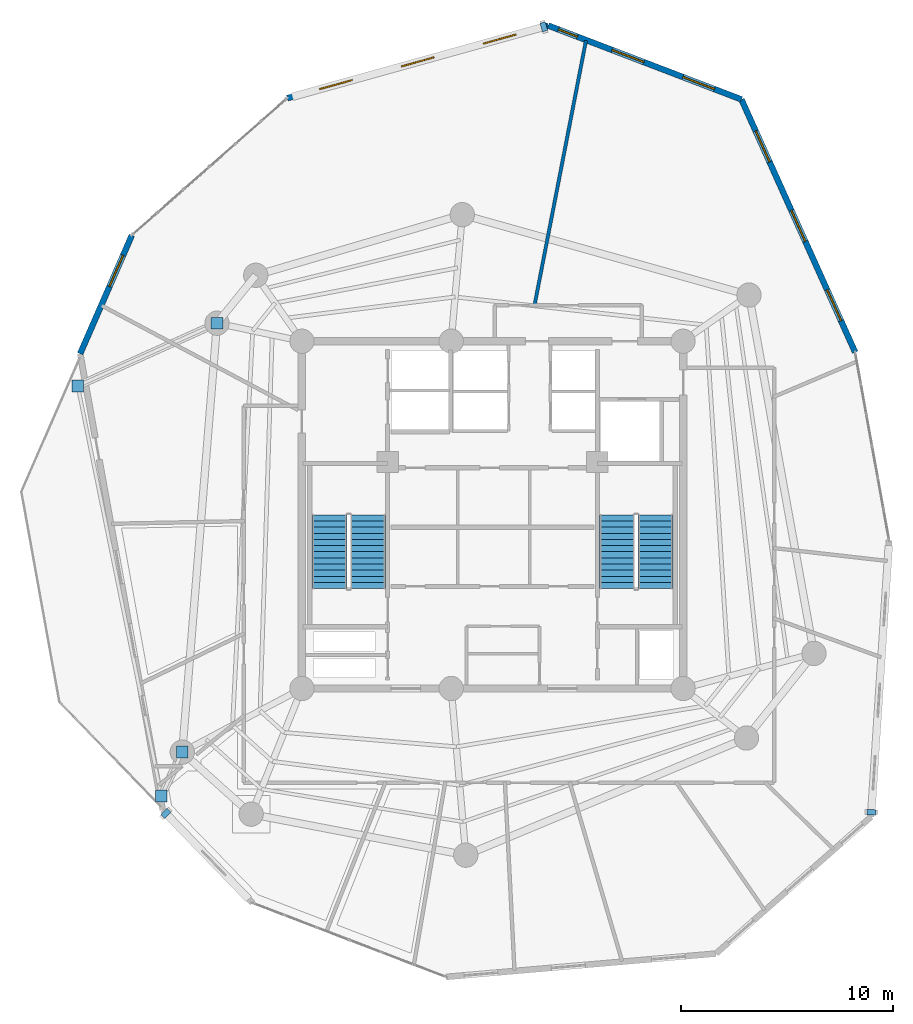
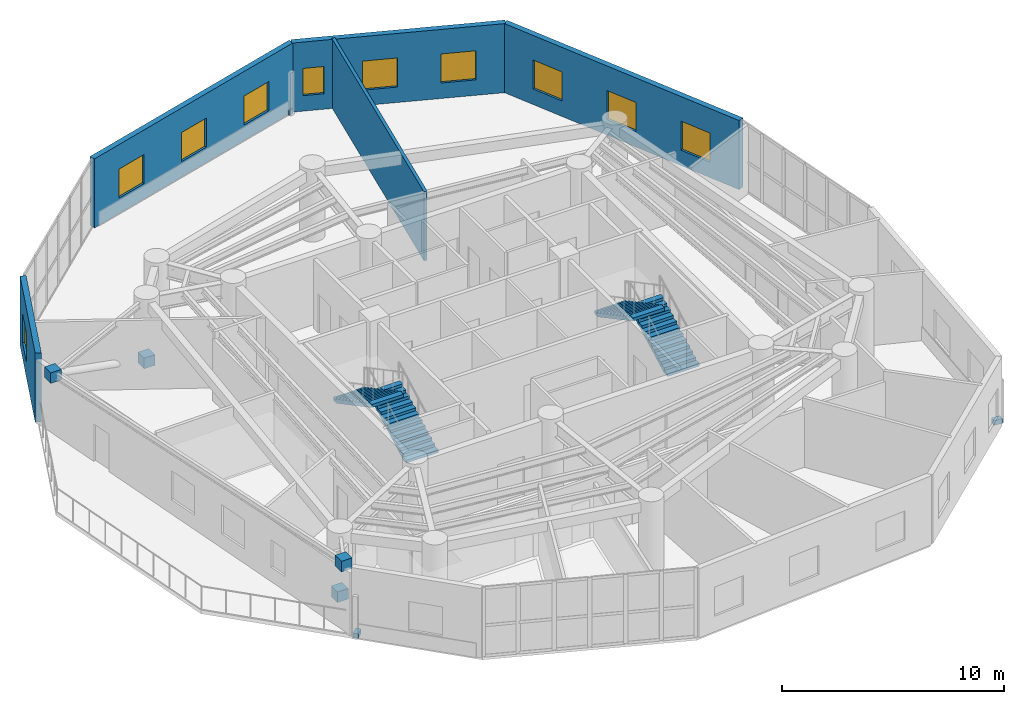
# One storey, part 9 of 12: 10 windows, 7 discrete accessories, 5 walls, 4 stair flights, 10 openings, 2 elements without a shape of their own.
"""IFC4 building model written with IfcOpenShell, lengths in metres."""

from ifc_helpers import new_model, si_unit, direction, frame, frame_2d, origin, origin_with_axes, origin_2d, place, context, subcontext, project, spatial, polyline, rectangle, outline, extrude, source, transform, mapped, material, layer, layer_set, type_object, element, fill, aggregate, save


model = new_model("IFC4")

# Units and contexts
model_context = context("Model", 3, precision=1e-05, world=origin(), true_north=direction((0.0, 1.0)))
body_context = subcontext(model_context, "Body", "Model", "MODEL_VIEW")
ifc_project = project(units=[si_unit("LENGTHUNIT", "METRE"), si_unit("AREAUNIT", "SQUARE_METRE"), si_unit("VOLUMEUNIT", "CUBIC_METRE"), si_unit("PLANEANGLEUNIT", "RADIAN"), si_unit("MASSUNIT", "GRAM", prefix="KILO")], contexts=[model_context])

# Site, building, storey
site_placement = place(None, origin())
site = spatial("IfcSite", under=ifc_project, at=site_placement, CompositionType="ELEMENT")
building_placement = place(site_placement, origin())
building = spatial("IfcBuilding", under=site, at=building_placement, Name="Karkom Vertical University and Central Library", CompositionType="ELEMENT")
storey_placement = place(building_placement, frame((0.0, 0.0, 212.89990234375)))
storey = spatial("IfcBuildingStorey", under=building, at=storey_placement, Name="L62", CompositionType="ELEMENT", Elevation=212.89990234375)

# Wall, openings, windows
ifc_material_1 = material(Name="Brick-faced precast concrete C45/55", Category="masonry")
ifc_layer_1 = layer(ifc_material_1, 0.280029296875)
ifc_layer_set_1 = layer_set([ifc_layer_1], Name="Brick-faced precast concrete C45/55")
wall_type_1 = type_object("IfcWallType", Name="ENV-WL-BRK-280", PredefinedType="SOLIDWALL", material=ifc_layer_set_1)
wall_1_placement = place(storey_placement, frame((45.62939453125, 34.179931640625, 0.0), z_axis=(0.0, 0.0, 1.0), x_axis=(-0.410221225216, 0.911986045059, 0.0)))
wall_1 = element("IfcWall", 1, at=wall_1_placement, inside=storey, type_object=wall_type_1, Name="Level 62 Brick-Faced Precast Facade Wall 07", PredefinedType="SOLIDWALL", context=body_context, shape_type="SweptSolid", body=[
    extrude(rectangle(XDim=13.092041015625, YDim=0.280029296875, at=frame_2d((6.5458984375, 0.0))), origin(), (0.0, 0.0, 1.0), 3.800048828125),
])
opening_1_placement = place(wall_1_placement, frame((1.63525390625, 0.0, 0.85009765625)))
opening_1 = element("IfcOpeningElement", 2, at=opening_1_placement, cuts=wall_1, Name="Opening WN-10", PredefinedType="OPENING", context=body_context, shape_type="SweptSolid", body=[
    extrude(rectangle(XDim=1.60009765625, YDim=1.60009765625, at=frame_2d((0.800048828125, 0.800048828125))), frame((0.0, 0.14990234375, 0.0), z_axis=(0.0, -1.0, 0.0), x_axis=(1.0, 0.0, 0.0)), (0.0, 0.0, 1.0), 0.300048828125),
])
opening_2_placement = place(wall_1_placement, frame((5.74609375, 0.0, 0.85009765625)))
opening_2 = element("IfcOpeningElement", 3, at=opening_2_placement, cuts=wall_1, Name="Opening WN-10", PredefinedType="OPENING", context=body_context, shape_type="SweptSolid", body=[
    extrude(rectangle(XDim=1.60009765625, YDim=1.60009765625, at=frame_2d((0.800048828125, 0.800048828125))), frame((0.0, 0.14990234375, 0.0), z_axis=(0.0, -1.0, 0.0), x_axis=(1.0, 0.0, 0.0)), (0.0, 0.0, 1.0), 0.300048828125),
])
opening_3_placement = place(wall_1_placement, frame((9.856689453125, 0.0, 0.85009765625)))
opening_3 = element("IfcOpeningElement", 4, at=opening_3_placement, cuts=wall_1, Name="Opening WN-10", PredefinedType="OPENING", context=body_context, shape_type="SweptSolid", body=[
    extrude(rectangle(XDim=1.60009765625, YDim=1.60009765625, at=frame_2d((0.800048828125, 0.800048828125))), frame((0.0, 0.14990234375, 0.0), z_axis=(0.0, -1.0, 0.0), x_axis=(1.0, 0.0, 0.0)), (0.0, 0.0, 1.0), 0.300048828125),
])
ifc_material_2 = material(Name="Aluminium thermal-break frame with solar-control IGU", Category="aluminium")
window_type_1 = type_object("IfcWindowType", Name="ENV-WIN-WN-10", PartitioningType="SINGLE_PANEL", PredefinedType="WINDOW", material=ifc_material_2)
shared_shape_1 = source(origin_with_axes(), body_context, "Body", "SweptSolid", [
    extrude(rectangle(XDim=1.60009765625, YDim=1.60009765625, at=frame_2d((0.800048828125, 0.800048828125))), frame((0.0, 0.030029296875, 0.0), z_axis=(0.0, -1.0, 0.0), x_axis=(1.0, 0.0, 0.0)), (0.0, 0.0, 1.0), 0.06005859375),
])
window_1_placement = place(opening_1_placement, origin())
window_1 = element("IfcWindow", 5, at=window_1_placement, inside=storey, type_object=window_type_1, Name="Level 62 Punched Window 7.1", OverallHeight=1.60009765625, OverallWidth=1.60009765625, PartitioningType="SINGLE_PANEL", PredefinedType="WINDOW", context=body_context, shape_type="MappedRepresentation", body=[
    mapped(shared_shape_1, transform((0.0, 0.0, 0.0), scale=1.0)),
])
fill(opening_1, window_1)
window_2_placement = place(opening_2_placement, origin())
window_2 = element("IfcWindow", 6, at=window_2_placement, inside=storey, type_object=window_type_1, Name="Level 62 Punched Window 7.2", OverallHeight=1.60009765625, OverallWidth=1.60009765625, PartitioningType="SINGLE_PANEL", PredefinedType="WINDOW", context=body_context, shape_type="MappedRepresentation", body=[
    mapped(shared_shape_1, transform((0.0, 0.0, 0.0), scale=1.0)),
])
fill(opening_2, window_2)
window_3_placement = place(opening_3_placement, origin())
window_3 = element("IfcWindow", 7, at=window_3_placement, inside=storey, type_object=window_type_1, Name="Level 62 Punched Window 7.3", OverallHeight=1.60009765625, OverallWidth=1.60009765625, PartitioningType="SINGLE_PANEL", PredefinedType="WINDOW", context=body_context, shape_type="MappedRepresentation", body=[
    mapped(shared_shape_1, transform((0.0, 0.0, 0.0), scale=1.0)),
])
fill(opening_3, window_3)

wall_2_placement = place(storey_placement, frame((40.2587890625, 46.11962890625, 0.0), z_axis=(0.0, 0.0, 1.0), x_axis=(-0.934033928804, 0.357184293947, 0.0)))
wall_2 = element("IfcWall", 8, at=wall_2_placement, inside=storey, type_object=wall_type_1, Name="Level 62 Brick-Faced Precast Facade Wall 08", PredefinedType="SOLIDWALL", context=body_context, shape_type="SweptSolid", body=[
    extrude(rectangle(XDim=9.76611328125, YDim=0.280029296875, at=frame_2d((4.883056640625, 0.0))), origin(), (0.0, 0.0, 1.0), 3.800048828125),
])
opening_4_placement = place(wall_2_placement, frame((1.366455078125, 0.0, 0.85009765625)))
opening_4 = element("IfcOpeningElement", 9, at=opening_4_placement, cuts=wall_2, Name="Opening WN-10", PredefinedType="OPENING", context=body_context, shape_type="SweptSolid", body=[
    extrude(rectangle(XDim=1.60009765625, YDim=1.60009765625, at=frame_2d((0.800048828125, 0.800048828125))), frame((0.0, 0.14990234375, 0.0), z_axis=(0.0, -1.0, 0.0), x_axis=(1.0, 0.0, 0.0)), (0.0, 0.0, 1.0), 0.300048828125),
])
opening_5_placement = place(wall_2_placement, frame((4.939697265625, 0.0, 0.85009765625)))
opening_5 = element("IfcOpeningElement", 10, at=opening_5_placement, cuts=wall_2, Name="Opening WN-10", PredefinedType="OPENING", context=body_context, shape_type="SweptSolid", body=[
    extrude(rectangle(XDim=1.60009765625, YDim=1.60009765625, at=frame_2d((0.800048828125, 0.800048828125))), frame((0.0, 0.14990234375, 0.0), z_axis=(0.0, -1.0, 0.0), x_axis=(1.0, 0.0, 0.0)), (0.0, 0.0, 1.0), 0.300048828125),
])
opening_6_placement = place(wall_2_placement, frame((8.301025390625, 0.0, 0.85009765625)))
opening_6 = element("IfcOpeningElement", 11, at=opening_6_placement, cuts=wall_2, Name="Opening WN-12", PredefinedType="OPENING", context=body_context, shape_type="SweptSolid", body=[
    extrude(rectangle(XDim=0.949951171875, YDim=1.5, at=frame_2d((0.47509765625, 0.75))), frame((0.0, 0.14990234375, 0.0), z_axis=(0.0, -1.0, 0.0), x_axis=(1.0, 0.0, 0.0)), (0.0, 0.0, 1.0), 0.300048828125),
])
window_type_2 = type_object("IfcWindowType", Name="ENV-WIN-WN-12", PartitioningType="SINGLE_PANEL", PredefinedType="WINDOW", material=ifc_material_2)
shared_shape_2 = source(origin_with_axes(), body_context, "Body", "SweptSolid", [
    extrude(rectangle(XDim=0.949951171875, YDim=1.5, at=frame_2d((0.47509765625, 0.75))), frame((0.0, 0.030029296875, 0.0), z_axis=(0.0, -1.0, 0.0), x_axis=(1.0, 0.0, 0.0)), (0.0, 0.0, 1.0), 0.06005859375),
])
window_4_placement = place(opening_6_placement, origin())
window_4 = element("IfcWindow", 12, at=window_4_placement, inside=storey, type_object=window_type_2, Name="Level 62 Punched Window 8.3", OverallHeight=1.5, OverallWidth=0.949951171875, PartitioningType="SINGLE_PANEL", PredefinedType="WINDOW", context=body_context, shape_type="MappedRepresentation", body=[
    mapped(shared_shape_2, transform((0.0, 0.0, 0.0), scale=1.0)),
])
fill(opening_6, window_4)
window_5_placement = place(opening_4_placement, origin())
window_5 = element("IfcWindow", 13, at=window_5_placement, inside=storey, type_object=window_type_1, Name="Level 62 Punched Window 8.1", OverallHeight=1.60009765625, OverallWidth=1.60009765625, PartitioningType="SINGLE_PANEL", PredefinedType="WINDOW", context=body_context, shape_type="MappedRepresentation", body=[
    mapped(shared_shape_1, transform((0.0, 0.0, 0.0), scale=1.0)),
])
fill(opening_4, window_5)
window_6_placement = place(opening_5_placement, origin())
window_6 = element("IfcWindow", 14, at=window_6_placement, inside=storey, type_object=window_type_1, Name="Level 62 Punched Window 8.2", OverallHeight=1.60009765625, OverallWidth=1.60009765625, PartitioningType="SINGLE_PANEL", PredefinedType="WINDOW", context=body_context, shape_type="MappedRepresentation", body=[
    mapped(shared_shape_1, transform((0.0, 0.0, 0.0), scale=1.0)),
])
fill(opening_5, window_6)

wall_3_placement = place(storey_placement, frame((31.136962890625, 49.60791015625, 0.0), z_axis=(0.0, 0.0, 1.0), x_axis=(-0.963438056325, -0.267931169565, 0.0)))
wall_3 = element("IfcWall", 15, at=wall_3_placement, inside=storey, type_object=wall_type_1, Name="Level 62 Brick-Faced Precast Facade Wall 09", PredefinedType="SOLIDWALL", context=body_context, shape_type="SweptSolid", body=[
    extrude(rectangle(XDim=12.796875, YDim=0.280029296875, at=frame_2d((6.3984375, 0.0))), origin(), (0.0, 0.0, 1.0), 3.800048828125),
])
opening_7_placement = place(wall_3_placement, frame((1.586181640625, 0.0, 0.85009765625)))
opening_7 = element("IfcOpeningElement", 16, at=opening_7_placement, cuts=wall_3, Name="Opening WN-10", PredefinedType="OPENING", context=body_context, shape_type="SweptSolid", body=[
    extrude(rectangle(XDim=1.60009765625, YDim=1.60009765625, at=frame_2d((0.800048828125, 0.800048828125))), frame((0.0, 0.14990234375, 0.0), z_axis=(0.0, -1.0, 0.0), x_axis=(1.0, 0.0, 0.0)), (0.0, 0.0, 1.0), 0.300048828125),
])
opening_8_placement = place(wall_3_placement, frame((5.598388671875, 0.0, 0.85009765625)))
opening_8 = element("IfcOpeningElement", 17, at=opening_8_placement, cuts=wall_3, Name="Opening WN-10", PredefinedType="OPENING", context=body_context, shape_type="SweptSolid", body=[
    extrude(rectangle(XDim=1.60009765625, YDim=1.60009765625, at=frame_2d((0.800048828125, 0.800048828125))), frame((0.0, 0.14990234375, 0.0), z_axis=(0.0, -1.0, 0.0), x_axis=(1.0, 0.0, 0.0)), (0.0, 0.0, 1.0), 0.300048828125),
])
opening_9_placement = place(wall_3_placement, frame((9.61083984375, 0.0, 0.85009765625)))
opening_9 = element("IfcOpeningElement", 18, at=opening_9_placement, cuts=wall_3, Name="Opening WN-10", PredefinedType="OPENING", context=body_context, shape_type="SweptSolid", body=[
    extrude(rectangle(XDim=1.60009765625, YDim=1.60009765625, at=frame_2d((0.800048828125, 0.800048828125))), frame((0.0, 0.14990234375, 0.0), z_axis=(0.0, -1.0, 0.0), x_axis=(1.0, 0.0, 0.0)), (0.0, 0.0, 1.0), 0.300048828125),
])
window_7_placement = place(opening_7_placement, origin())
window_7 = element("IfcWindow", 19, at=window_7_placement, inside=storey, type_object=window_type_1, Name="Level 62 Punched Window 9.1", OverallHeight=1.60009765625, OverallWidth=1.60009765625, PartitioningType="SINGLE_PANEL", PredefinedType="WINDOW", context=body_context, shape_type="MappedRepresentation", body=[
    mapped(shared_shape_1, transform((0.0, 0.0, 0.0), scale=1.0)),
])
fill(opening_7, window_7)
window_8_placement = place(opening_8_placement, origin())
window_8 = element("IfcWindow", 20, at=window_8_placement, inside=storey, type_object=window_type_1, Name="Level 62 Punched Window 9.2", OverallHeight=1.60009765625, OverallWidth=1.60009765625, PartitioningType="SINGLE_PANEL", PredefinedType="WINDOW", context=body_context, shape_type="MappedRepresentation", body=[
    mapped(shared_shape_1, transform((0.0, 0.0, 0.0), scale=1.0)),
])
fill(opening_8, window_8)
window_9_placement = place(opening_9_placement, origin())
window_9 = element("IfcWindow", 21, at=window_9_placement, inside=storey, type_object=window_type_1, Name="Level 62 Punched Window 9.3", OverallHeight=1.60009765625, OverallWidth=1.60009765625, PartitioningType="SINGLE_PANEL", PredefinedType="WINDOW", context=body_context, shape_type="MappedRepresentation", body=[
    mapped(shared_shape_1, transform((0.0, 0.0, 0.0), scale=1.0)),
])
fill(opening_9, window_9)

# Wall, opening, window
wall_4_placement = place(storey_placement, frame((11.46728515625, 39.7060546875, 0.0), z_axis=(0.0, 0.0, 1.0), x_axis=(-0.399985981555, -0.916521257015, 0.0)))
wall_4 = element("IfcWall", 22, at=wall_4_placement, inside=storey, type_object=wall_type_1, Name="Level 62 Brick-Faced Precast Facade Wall 11", PredefinedType="SOLIDWALL", context=body_context, shape_type="SweptSolid", body=[
    extrude(rectangle(XDim=6.106201171875, YDim=0.280029296875, at=frame_2d((3.05322265625, 0.0))), origin(), (0.0, 0.0, 1.0), 3.800048828125),
])
opening_10_placement = place(wall_4_placement, frame((1.039794921875, 0.0, 0.85009765625)))
opening_10 = element("IfcOpeningElement", 23, at=opening_10_placement, cuts=wall_4, Name="Opening WN-10", PredefinedType="OPENING", context=body_context, shape_type="SweptSolid", body=[
    extrude(rectangle(XDim=1.60009765625, YDim=1.60009765625, at=frame_2d((0.800048828125, 0.800048828125))), frame((0.0, 0.14990234375, 0.0), z_axis=(0.0, -1.0, 0.0), x_axis=(1.0, 0.0, 0.0)), (0.0, 0.0, 1.0), 0.300048828125),
])
window_10_placement = place(opening_10_placement, origin())
window_10 = element("IfcWindow", 24, at=window_10_placement, inside=storey, type_object=window_type_1, Name="Level 62 Punched Window 11.1", OverallHeight=1.60009765625, OverallWidth=1.60009765625, PartitioningType="SINGLE_PANEL", PredefinedType="WINDOW", context=body_context, shape_type="MappedRepresentation", body=[
    mapped(shared_shape_1, transform((0.0, 0.0, 0.0), scale=1.0)),
])
fill(opening_10, window_10)

# Wall
ifc_material_3 = material(Name="Insulated metal-stud drywall 160mm", Category="gypsum")
ifc_layer_2 = layer(ifc_material_3, 0.159912109375)
ifc_layer_set_2 = layer_set([ifc_layer_2], Name="Insulated metal-stud drywall 160mm")
wall_type_2 = type_object("IfcWallType", Name="INT-WL-COR-160", PredefinedType="PARTITIONING", material=ifc_layer_set_2)
wall_5_placement = place(storey_placement, frame((30.479736328125, 36.37060546875, 0.0), z_axis=(0.0, 0.0, 1.0), x_axis=(0.190812831834, 0.981626437708, 0.0)))
element("IfcWall", 25, at=wall_5_placement, inside=storey, type_object=wall_type_2, Name="Level 62 Interior Partition Wall L62-PW-015", PredefinedType="PARTITIONING", context=body_context, shape_type="SweptSolid", body=[
    extrude(rectangle(XDim=12.76416015625, YDim=0.159912109375, at=frame_2d((6.382080078125, 0.0))), origin(), (0.0, 0.0, 1.0), 3.800048828125),
])

# Stair, stair flights
ifc_material_4 = material(Name="Concrete C45/55", Category="concrete")
stair_type = type_object("IfcStairType", Name="INT-STR-ST-MAIN", PredefinedType="HALF_TURN_STAIR", material=ifc_material_4)
stair_1_placement = place(storey_placement, origin())
stair_1 = element("IfcStair", 26, at=stair_1_placement, inside=storey, type_object=stair_type, Name="Level 62 Tower Protected Exit Stair ST-1", PredefinedType="HALF_TURN_STAIR")
stair_flight_type = type_object("IfcStairFlightType", Name="INT-SFL-ST-MAIN", PredefinedType="STRAIGHT", material=ifc_material_4)
stair_flight_1_placement = place(storey_placement, frame((22.614990234375, 23.02001953125, 0.0), z_axis=(0.0, 0.0, 1.0), x_axis=(0.0, 1.0, 0.0)))
stair_flight_1 = element("IfcStairFlight", 27, at=stair_flight_1_placement, type_object=stair_flight_type, Name="ST-1 flight 1", NumberOfRisers=13, NumberOfTreads=12, PredefinedType="STRAIGHT", RiserHeight=0.153846154, TreadLength=0.29, context=body_context, shape_type="SweptSolid", body=[
    extrude(outline(polyline([(0.0, 0.0), (0.0, 0.15380859375), (0.2900390625, 0.15380859375), (0.2900390625, 0.3076171875), (0.580078125, 0.3076171875), (0.580078125, 0.46142578125), (0.8701171875, 0.46142578125), (0.8701171875, 0.615478515625), (1.159912109375, 0.615478515625), (1.159912109375, 0.769287109375), (1.449951171875, 0.769287109375), (1.449951171875, 0.923095703125), (1.739990234375, 0.923095703125), (1.739990234375, 1.076904296875), (2.030029296875, 1.076904296875), (2.030029296875, 1.230712890625), (2.320068359375, 1.230712890625), (2.320068359375, 1.384521484375), (2.610107421875, 1.384521484375), (2.610107421875, 1.53857421875), (2.89990234375, 1.53857421875), (2.89990234375, 1.6923828125), (3.18994140625, 1.6923828125), (3.18994140625, 1.84619140625), (3.47998046875, 1.84619140625), (3.47998046875, 2.0), (3.47998046875, 1.676513671875), (0.31982421875, 0.0), (0.0, 0.0)])), frame((0.0, 0.824951171875, 0.0), z_axis=(0.0, -1.0, 0.0), x_axis=(1.0, 0.0, 0.0)), (0.0, 0.0, 1.0), 1.64990234375),
])
stair_flight_2_placement = place(storey_placement, frame((20.804931640625, 26.5, 2.0), z_axis=(0.0, 0.0, 1.0), x_axis=(0.0, -1.0, 0.0)))
stair_flight_2 = element("IfcStairFlight", 28, at=stair_flight_2_placement, type_object=stair_flight_type, Name="ST-1 flight 2", NumberOfRisers=13, NumberOfTreads=12, PredefinedType="STRAIGHT", RiserHeight=0.153846154, TreadLength=0.29, context=body_context, shape_type="SweptSolid", body=[
    extrude(outline(polyline([(0.0, 0.0), (0.0, 0.15380859375), (0.2900390625, 0.15380859375), (0.2900390625, 0.3076171875), (0.580078125, 0.3076171875), (0.580078125, 0.46142578125), (0.8701171875, 0.46142578125), (0.8701171875, 0.615478515625), (1.159912109375, 0.615478515625), (1.159912109375, 0.769287109375), (1.449951171875, 0.769287109375), (1.449951171875, 0.923095703125), (1.739990234375, 0.923095703125), (1.739990234375, 1.076904296875), (2.030029296875, 1.076904296875), (2.030029296875, 1.230712890625), (2.320068359375, 1.230712890625), (2.320068359375, 1.384521484375), (2.610107421875, 1.384521484375), (2.610107421875, 1.53857421875), (2.89990234375, 1.53857421875), (2.89990234375, 1.6923828125), (3.18994140625, 1.6923828125), (3.18994140625, 1.84619140625), (3.47998046875, 1.84619140625), (3.47998046875, 2.0), (3.47998046875, 1.676513671875), (0.31982421875, 0.0), (0.0, 0.0)])), frame((0.0, 0.824951171875, 0.0), z_axis=(0.0, -1.0, 0.0), x_axis=(1.0, 0.0, 0.0)), (0.0, 0.0, 1.0), 1.64990234375),
])
aggregate(stair_1, [stair_flight_1, stair_flight_2])

stair_2_placement = place(storey_placement, origin())
stair_2 = element("IfcStair", 29, at=stair_2_placement, inside=storey, type_object=stair_type, Name="Level 62 Tower Protected Exit Stair ST-2", PredefinedType="HALF_TURN_STAIR")
stair_flight_3_placement = place(storey_placement, frame((36.195068359375, 23.02001953125, 0.0), z_axis=(0.0, 0.0, 1.0), x_axis=(0.0, 1.0, 0.0)))
stair_flight_3 = element("IfcStairFlight", 30, at=stair_flight_3_placement, type_object=stair_flight_type, Name="ST-2 flight 1", NumberOfRisers=13, NumberOfTreads=12, PredefinedType="STRAIGHT", RiserHeight=0.153846154, TreadLength=0.29, context=body_context, shape_type="SweptSolid", body=[
    extrude(outline(polyline([(0.0, 0.0), (0.0, 0.15380859375), (0.2900390625, 0.15380859375), (0.2900390625, 0.3076171875), (0.580078125, 0.3076171875), (0.580078125, 0.46142578125), (0.8701171875, 0.46142578125), (0.8701171875, 0.615478515625), (1.159912109375, 0.615478515625), (1.159912109375, 0.769287109375), (1.449951171875, 0.769287109375), (1.449951171875, 0.923095703125), (1.739990234375, 0.923095703125), (1.739990234375, 1.076904296875), (2.030029296875, 1.076904296875), (2.030029296875, 1.230712890625), (2.320068359375, 1.230712890625), (2.320068359375, 1.384521484375), (2.610107421875, 1.384521484375), (2.610107421875, 1.53857421875), (2.89990234375, 1.53857421875), (2.89990234375, 1.6923828125), (3.18994140625, 1.6923828125), (3.18994140625, 1.84619140625), (3.47998046875, 1.84619140625), (3.47998046875, 2.0), (3.47998046875, 1.676513671875), (0.31982421875, 0.0), (0.0, 0.0)])), frame((0.0, 0.824951171875, 0.0), z_axis=(0.0, -1.0, 0.0), x_axis=(1.0, 0.0, 0.0)), (0.0, 0.0, 1.0), 1.64990234375),
])
stair_flight_4_placement = place(storey_placement, frame((34.385009765625, 26.5, 2.0), z_axis=(0.0, 0.0, 1.0), x_axis=(0.0, -1.0, 0.0)))
stair_flight_4 = element("IfcStairFlight", 31, at=stair_flight_4_placement, type_object=stair_flight_type, Name="ST-2 flight 2", NumberOfRisers=13, NumberOfTreads=12, PredefinedType="STRAIGHT", RiserHeight=0.153846154, TreadLength=0.29, context=body_context, shape_type="SweptSolid", body=[
    extrude(outline(polyline([(0.0, 0.0), (0.0, 0.15380859375), (0.2900390625, 0.15380859375), (0.2900390625, 0.3076171875), (0.580078125, 0.3076171875), (0.580078125, 0.46142578125), (0.8701171875, 0.46142578125), (0.8701171875, 0.615478515625), (1.159912109375, 0.615478515625), (1.159912109375, 0.769287109375), (1.449951171875, 0.769287109375), (1.449951171875, 0.923095703125), (1.739990234375, 0.923095703125), (1.739990234375, 1.076904296875), (2.030029296875, 1.076904296875), (2.030029296875, 1.230712890625), (2.320068359375, 1.230712890625), (2.320068359375, 1.384521484375), (2.610107421875, 1.384521484375), (2.610107421875, 1.53857421875), (2.89990234375, 1.53857421875), (2.89990234375, 1.6923828125), (3.18994140625, 1.6923828125), (3.18994140625, 1.84619140625), (3.47998046875, 1.84619140625), (3.47998046875, 2.0), (3.47998046875, 1.676513671875), (0.31982421875, 0.0), (0.0, 0.0)])), frame((0.0, 0.824951171875, 0.0), z_axis=(0.0, -1.0, 0.0), x_axis=(1.0, 0.0, 0.0)), (0.0, 0.0, 1.0), 1.64990234375),
])
aggregate(stair_2, [stair_flight_3, stair_flight_4])

# Discrete accessories
ifc_material_5 = material(Name="Ductile cast iron EN-GJS-400-15", Category="metal")
discrete_accessory_type_1 = type_object("IfcDiscreteAccessoryType", Name="STR-ACC-NODECAP", PredefinedType="BRACKET", material=ifc_material_5)
shared_shape_3 = source(origin_with_axes(), body_context, "Body", "SweptSolid", [
    extrude(rectangle(XDim=0.56005859375, YDim=0.56005859375, at=origin_2d()), origin(), (0.0, 0.0, 1.0), 0.580078125),
])
for number, where, z_axis, x_axis, name in (
    (32, (15.489990234375, 35.552001953125, 0.06005859375), (0.0, 0.0, 1.0), (1.0, 0.0, 0.0), "Level 62 Cast Node Connector L62-SKG-KNEE-1 A"),
    (33, (8.913330078125, 32.591064453125, 3.344970703125), (0.0, 0.0, 1.0), (1.0, 0.0, 0.0), "Level 62 Cast Node Connector L62-SKG-KNEE-1 B"),
    (34, (13.84912109375, 15.294921875, 0.06005859375), (0.0, 0.0, 1.0), (1.0, 0.0, 0.0), "Level 62 Cast Node Connector L62-SKG-KNEE-2 A"),
    (35, (12.859619140625, 13.229248046875, 3.344970703125), (0.0, 0.0, 1.0), (1.0, 0.0, 0.0), "Level 62 Cast Node Connector L62-SKG-KNEE-2 B"),
):
    element("IfcDiscreteAccessory", number, at=place(storey_placement, frame(where, z_axis=z_axis, x_axis=x_axis)), inside=storey, type_object=discrete_accessory_type_1, Name=name, PredefinedType="BRACKET", context=body_context, shape_type="MappedRepresentation", body=[
        mapped(shared_shape_3, transform((0.0, 0.0, 0.0), scale=1.0)),
    ])
ifc_material_6 = material(Name="Austenitic stainless steel 316", Category="steel")
discrete_accessory_type_2 = type_object("IfcDiscreteAccessoryType", Name="INT-ACC-BRACKET", PredefinedType="BRACKET", material=ifc_material_6)
shared_shape_4 = source(origin_with_axes(), body_context, "Body", "SweptSolid", [
    extrude(rectangle(XDim=0.260009765625, YDim=0.419921875, at=origin_2d()), origin(), (0.0, 0.0, 1.0), 0.260009765625),
])
for number, where, z_axis, x_axis, name in (
    (36, (13.0712890625, 12.399169921875, 0.0), (0.0, 0.0, 1.0), (0.69541128031, -0.718611961505, 0.0), "Level 62 Sun-Breaker Stainless Corbel Bracket 28"),
    (37, (46.394287109375, 12.4541015625, 0.0), (0.0, 0.0, 1.0), (0.065228968998, 0.99787032304, 0.0), "Level 62 Sun-Breaker Stainless Corbel Bracket 29"),
    (38, (30.925048828125, 49.549072265625, 0.0), (0.0, 0.0, 1.0), (-0.963443650811, -0.267911051866, 0.0), "Level 62 Sun-Breaker Stainless Corbel Bracket 30"),
):
    element("IfcDiscreteAccessory", number, at=place(storey_placement, frame(where, z_axis=z_axis, x_axis=x_axis)), inside=storey, type_object=discrete_accessory_type_2, Name=name, PredefinedType="BRACKET", context=body_context, shape_type="MappedRepresentation", body=[
        mapped(shared_shape_4, transform((0.0, 0.0, 0.0), scale=1.0)),
    ])

save(model, "model.ifc")
